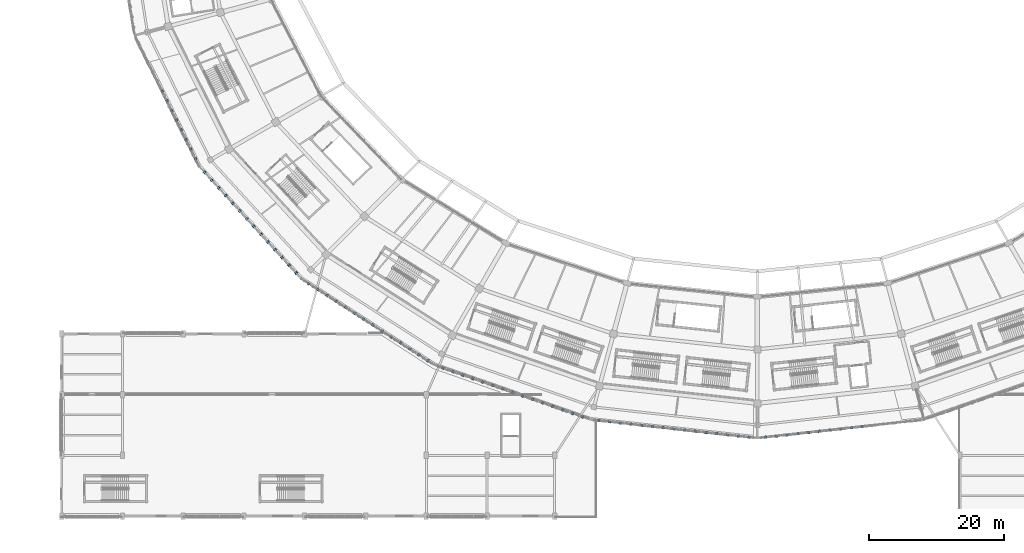
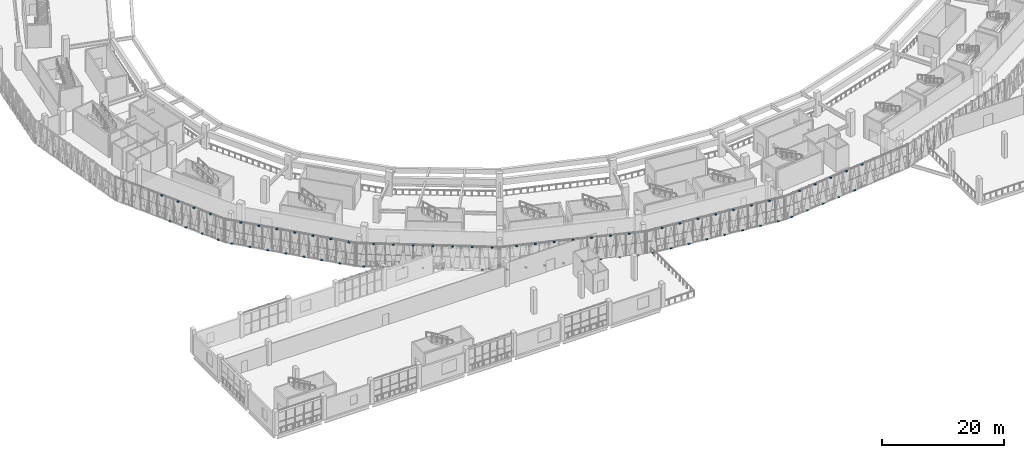
# One storey, part 119 of 179: 76 discrete accessories.
"""IFC4 building model written with IfcOpenShell, lengths in metres."""

from ifc_helpers import new_model, si_unit, direction, frame, origin, origin_2d, place, context, subcontext, project, spatial, rectangle, extrude, material, layer, layer_set, type_object, element, save


model = new_model("IFC4")

# Units and contexts
model_context = context("Model", 3, precision=1e-05, world=origin(), true_north=direction((0.0, 1.0)))
body_context = subcontext(model_context, "Body", "Model", "MODEL_VIEW")
ifc_project = project(units=[si_unit("LENGTHUNIT", "METRE"), si_unit("AREAUNIT", "SQUARE_METRE"), si_unit("VOLUMEUNIT", "CUBIC_METRE"), si_unit("PLANEANGLEUNIT", "RADIAN"), si_unit("MASSUNIT", "GRAM", prefix="KILO")], contexts=[model_context])

# Site, building, storey
site_placement = place(None, origin())
site = spatial("IfcSite", under=ifc_project, at=site_placement, CompositionType="ELEMENT")
building_placement = place(site_placement, origin())
building = spatial("IfcBuilding", under=site, at=building_placement, Name="Zevraka Park Crest Stadium", CompositionType="ELEMENT")
storey_placement = place(building_placement, frame((0.0, 0.0, 10.199951171875)))
storey = spatial("IfcBuildingStorey", under=building, at=storey_placement, Name="L02", CompositionType="ELEMENT", Elevation=10.199951171875)

# Discrete accessories
ifc_material = material(Name="Galvanised steel bracketry", Category="steel")
ifc_layer = layer(ifc_material, 0.1201171875)
ifc_layer_set = layer_set([ifc_layer], Name="Galvanised steel bracketry")
discrete_accessory_type = type_object("IfcDiscreteAccessoryType", Name="BRK01", PredefinedType="BRACKET", material=ifc_layer_set)
for number, where, z_axis, x_axis, name in (
    (1, (23.875, 62.9150390625, 4.35986328125), (0.0, 0.0, 1.0), (0.441035988909, -0.897489418593, 0.0), "Bronze Screen Carrier Bracket BRK01 L02-13-6"),
    (2, (24.5791015625, 61.48388671875, -0.15966796875), (0.0, 0.0, 1.0), (0.441035988909, -0.897489418593, 0.0), "Bronze Screen Carrier Bracket BRK01 L02-13-7"),
    (3, (25.281982421875, 60.052001953125, 4.35986328125), (0.0, 0.0, 1.0), (0.441035988909, -0.897489418593, 0.0), "Bronze Screen Carrier Bracket BRK01 L02-13-8"),
    (4, (25.985107421875, 58.62109375, -0.15966796875), (0.0, 0.0, 1.0), (0.441035988909, -0.897489418593, 0.0), "Bronze Screen Carrier Bracket BRK01 L02-13-9"),
    (5, (26.68896484375, 57.18994140625, 4.35986328125), (0.0, 0.0, 1.0), (0.441035988909, -0.897489418593, 0.0), "Bronze Screen Carrier Bracket BRK01 L02-13-10"),
    (6, (27.39208984375, 55.758056640625, -0.15966796875), (0.0, 0.0, 1.0), (0.441035988909, -0.897489418593, 0.0), "Bronze Screen Carrier Bracket BRK01 L02-13-11"),
    (7, (28.094970703125, 54.326904296875, 4.35986328125), (0.0, 0.0, 1.0), (0.441035988909, -0.897489418593, 0.0), "Bronze Screen Carrier Bracket BRK01 L02-13-12"),
    (8, (28.799072265625, 52.89599609375, -0.15966796875), (0.0, 0.0, 1.0), (0.441035988909, -0.897489418593, 0.0), "Bronze Screen Carrier Bracket BRK01 L02-13-13"),
    (9, (30.162109375, 50.885986328125, -0.15966796875), (0.0, 0.0, 1.0), (0.673141593237, -0.739513620871, 0.0), "Bronze Screen Carrier Bracket BRK01 L02-14-1"),
    (10, (31.202880859375, 49.741943359375, 4.35986328125), (0.0, 0.0, 1.0), (0.673141593237, -0.739513620871, 0.0), "Bronze Screen Carrier Bracket BRK01 L02-14-2"),
    (11, (32.243896484375, 48.59912109375, -0.15966796875), (0.0, 0.0, 1.0), (0.673141593237, -0.739513620871, 0.0), "Bronze Screen Carrier Bracket BRK01 L02-14-3"),
    (12, (33.283935546875, 47.4560546875, 4.35986328125), (0.0, 0.0, 1.0), (0.673141593237, -0.739513620871, 0.0), "Bronze Screen Carrier Bracket BRK01 L02-14-4"),
    (13, (34.324951171875, 46.31201171875, -0.15966796875), (0.0, 0.0, 1.0), (0.673141593237, -0.739513620871, 0.0), "Bronze Screen Carrier Bracket BRK01 L02-14-5"),
    (14, (35.365966796875, 45.1689453125, 4.35986328125), (0.0, 0.0, 1.0), (0.673141593237, -0.739513620871, 0.0), "Bronze Screen Carrier Bracket BRK01 L02-14-6"),
    (15, (36.406982421875, 44.02587890625, -0.15966796875), (0.0, 0.0, 1.0), (0.673141593237, -0.739513620871, 0.0), "Bronze Screen Carrier Bracket BRK01 L02-14-7"),
    (16, (37.447021484375, 42.882080078125, 4.35986328125), (0.0, 0.0, 1.0), (0.673141593237, -0.739513620871, 0.0), "Bronze Screen Carrier Bracket BRK01 L02-14-8"),
    (17, (38.488037109375, 41.739013671875, -0.15966796875), (0.0, 0.0, 1.0), (0.673141593237, -0.739513620871, 0.0), "Bronze Screen Carrier Bracket BRK01 L02-14-9"),
    (18, (39.529052734375, 40.595947265625, 4.35986328125), (0.0, 0.0, 1.0), (0.673141593237, -0.739513620871, 0.0), "Bronze Screen Carrier Bracket BRK01 L02-14-10"),
    (19, (40.570068359375, 39.451904296875, -0.15966796875), (0.0, 0.0, 1.0), (0.673141593237, -0.739513620871, 0.0), "Bronze Screen Carrier Bracket BRK01 L02-14-11"),
    (20, (41.610107421875, 38.30908203125, 4.35986328125), (0.0, 0.0, 1.0), (0.673141593237, -0.739513620871, 0.0), "Bronze Screen Carrier Bracket BRK01 L02-14-12"),
    (21, (42.65087890625, 37.166015625, -0.15966796875), (0.0, 0.0, 1.0), (0.673141593237, -0.739513620871, 0.0), "Bronze Screen Carrier Bracket BRK01 L02-14-13"),
    (22, (43.69189453125, 36.02197265625, 4.35986328125), (0.0, 0.0, 1.0), (0.673141593237, -0.739513620871, 0.0), "Bronze Screen Carrier Bracket BRK01 L02-14-14"),
    (23, (45.56103515625, 34.444091796875, -0.15966796875), (0.0, 0.0, 1.0), (0.839714653571, -0.543027900367, 0.0), "Bronze Screen Carrier Bracket BRK01 L02-15-1"),
    (24, (46.919921875, 33.56494140625, 4.35986328125), (0.0, 0.0, 1.0), (0.839714653571, -0.543027900367, 0.0), "Bronze Screen Carrier Bracket BRK01 L02-15-2"),
    (25, (48.279052734375, 32.68603515625, -0.15966796875), (0.0, 0.0, 1.0), (0.839714653571, -0.543027900367, 0.0), "Bronze Screen Carrier Bracket BRK01 L02-15-3"),
    (26, (49.637939453125, 31.80810546875, 4.35986328125), (0.0, 0.0, 1.0), (0.839714653571, -0.543027900367, 0.0), "Bronze Screen Carrier Bracket BRK01 L02-15-4"),
    (27, (50.99609375, 30.928955078125, -0.15966796875), (0.0, 0.0, 1.0), (0.839714653571, -0.543027900367, 0.0), "Bronze Screen Carrier Bracket BRK01 L02-15-5"),
    (28, (52.35498046875, 30.050048828125, 4.35986328125), (0.0, 0.0, 1.0), (0.839714653571, -0.543027900367, 0.0), "Bronze Screen Carrier Bracket BRK01 L02-15-6"),
    (29, (53.714111328125, 29.1708984375, -0.15966796875), (0.0, 0.0, 1.0), (0.839714653571, -0.543027900367, 0.0), "Bronze Screen Carrier Bracket BRK01 L02-15-7"),
    (30, (55.072998046875, 28.2919921875, 4.35986328125), (0.0, 0.0, 1.0), (0.839714653571, -0.543027900367, 0.0), "Bronze Screen Carrier Bracket BRK01 L02-15-8"),
    (31, (56.431884765625, 27.4130859375, -0.15966796875), (0.0, 0.0, 1.0), (0.839714653571, -0.543027900367, 0.0), "Bronze Screen Carrier Bracket BRK01 L02-15-9"),
    (32, (57.791015625, 26.533935546875, 4.35986328125), (0.0, 0.0, 1.0), (0.839714653571, -0.543027900367, 0.0), "Bronze Screen Carrier Bracket BRK01 L02-15-10"),
    (33, (59.14892578125, 25.655029296875, -0.15966796875), (0.0, 0.0, 1.0), (0.839714653571, -0.543027900367, 0.0), "Bronze Screen Carrier Bracket BRK01 L02-15-11"),
    (34, (60.508056640625, 24.777099609375, 4.35986328125), (0.0, 0.0, 1.0), (0.839714653571, -0.543027900367, 0.0), "Bronze Screen Carrier Bracket BRK01 L02-15-12"),
    (35, (61.866943359375, 23.89794921875, -0.15966796875), (0.0, 0.0, 1.0), (0.839714653571, -0.543027900367, 0.0), "Bronze Screen Carrier Bracket BRK01 L02-15-13"),
    (36, (63.22607421875, 23.01904296875, 4.35986328125), (0.0, 0.0, 1.0), (0.839714653571, -0.543027900367, 0.0), "Bronze Screen Carrier Bracket BRK01 L02-15-14"),
    (37, (65.43408203125, 21.93505859375, -0.15966796875), (0.0, 0.0, 1.0), (0.944089020393, -0.329690645263, 0.0), "Bronze Screen Carrier Bracket BRK01 L02-16-1"),
    (38, (66.9130859375, 21.4189453125, 4.35986328125), (0.0, 0.0, 1.0), (0.944089020393, -0.329690645263, 0.0), "Bronze Screen Carrier Bracket BRK01 L02-16-2"),
    (39, (68.39208984375, 20.903076171875, -0.15966796875), (0.0, 0.0, 1.0), (0.944089020393, -0.329690645263, 0.0), "Bronze Screen Carrier Bracket BRK01 L02-16-3"),
    (40, (69.87109375, 20.385986328125, 4.35986328125), (0.0, 0.0, 1.0), (0.944089020393, -0.329690645263, 0.0), "Bronze Screen Carrier Bracket BRK01 L02-16-4"),
    (41, (71.35009765625, 19.8701171875, -0.15966796875), (0.0, 0.0, 1.0), (0.944089020393, -0.329690645263, 0.0), "Bronze Screen Carrier Bracket BRK01 L02-16-5"),
    (42, (72.8291015625, 19.35400390625, 4.35986328125), (0.0, 0.0, 1.0), (0.944089020393, -0.329690645263, 0.0), "Bronze Screen Carrier Bracket BRK01 L02-16-6"),
    (43, (74.30810546875, 18.8369140625, -0.15966796875), (0.0, 0.0, 1.0), (0.944089020393, -0.329690645263, 0.0), "Bronze Screen Carrier Bracket BRK01 L02-16-7"),
    (44, (75.787109375, 18.321044921875, 4.35986328125), (0.0, 0.0, 1.0), (0.944089020393, -0.329690645263, 0.0), "Bronze Screen Carrier Bracket BRK01 L02-16-8"),
    (45, (77.264892578125, 17.804931640625, -0.15966796875), (0.0, 0.0, 1.0), (0.944089020393, -0.329690645263, 0.0), "Bronze Screen Carrier Bracket BRK01 L02-16-9"),
    (46, (78.743896484375, 17.2880859375, 4.35986328125), (0.0, 0.0, 1.0), (0.944089020393, -0.329690645263, 0.0), "Bronze Screen Carrier Bracket BRK01 L02-16-10"),
    (47, (80.222900390625, 16.77197265625, -0.15966796875), (0.0, 0.0, 1.0), (0.944089020393, -0.329690645263, 0.0), "Bronze Screen Carrier Bracket BRK01 L02-16-11"),
    (48, (81.701904296875, 16.256103515625, 4.35986328125), (0.0, 0.0, 1.0), (0.944089020393, -0.329690645263, 0.0), "Bronze Screen Carrier Bracket BRK01 L02-16-12"),
    (49, (83.180908203125, 15.739013671875, -0.15966796875), (0.0, 0.0, 1.0), (0.944089020393, -0.329690645263, 0.0), "Bronze Screen Carrier Bracket BRK01 L02-16-13"),
    (50, (84.659912109375, 15.222900390625, 4.35986328125), (0.0, 0.0, 1.0), (0.944089020393, -0.329690645263, 0.0), "Bronze Screen Carrier Bracket BRK01 L02-16-14"),
    (51, (86.138916015625, 14.70703125, -0.15966796875), (0.0, 0.0, 1.0), (0.944089020393, -0.329690645263, 0.0), "Bronze Screen Carrier Bracket BRK01 L02-16-15"),
    (52, (88.531005859375, 14.1650390625, -0.15966796875), (0.0, 0.0, 1.0), (0.993903362457, -0.110254732764, 0.0), "Bronze Screen Carrier Bracket BRK01 L02-17-1"),
    (53, (90.1201171875, 13.989013671875, 4.35986328125), (0.0, 0.0, 1.0), (0.993903362457, -0.110254732764, 0.0), "Bronze Screen Carrier Bracket BRK01 L02-17-2"),
    (54, (91.7080078125, 13.81298828125, -0.15966796875), (0.0, 0.0, 1.0), (0.993903362457, -0.110254732764, 0.0), "Bronze Screen Carrier Bracket BRK01 L02-17-3"),
    (55, (93.2958984375, 13.635986328125, 4.35986328125), (0.0, 0.0, 1.0), (0.993903362457, -0.110254732764, 0.0), "Bronze Screen Carrier Bracket BRK01 L02-17-4"),
    (56, (94.884033203125, 13.4599609375, -0.15966796875), (0.0, 0.0, 1.0), (0.993903362457, -0.110254732764, 0.0), "Bronze Screen Carrier Bracket BRK01 L02-17-5"),
    (57, (96.471923828125, 13.283935546875, 4.35986328125), (0.0, 0.0, 1.0), (0.993903362457, -0.110254732764, 0.0), "Bronze Screen Carrier Bracket BRK01 L02-17-6"),
    (58, (98.06005859375, 13.10791015625, -0.15966796875), (0.0, 0.0, 1.0), (0.993903362457, -0.110254732764, 0.0), "Bronze Screen Carrier Bracket BRK01 L02-17-7"),
    (59, (99.64892578125, 12.931884765625, 4.35986328125), (0.0, 0.0, 1.0), (0.993903362457, -0.110254732764, 0.0), "Bronze Screen Carrier Bracket BRK01 L02-17-8"),
    (60, (101.237060546875, 12.7548828125, -0.15966796875), (0.0, 0.0, 1.0), (0.993903362457, -0.110254732764, 0.0), "Bronze Screen Carrier Bracket BRK01 L02-17-9"),
    (61, (102.824951171875, 12.5791015625, 4.35986328125), (0.0, 0.0, 1.0), (0.993903362457, -0.110254732764, 0.0), "Bronze Screen Carrier Bracket BRK01 L02-17-10"),
    (62, (104.4130859375, 12.403076171875, -0.15966796875), (0.0, 0.0, 1.0), (0.993903362457, -0.110254732764, 0.0), "Bronze Screen Carrier Bracket BRK01 L02-17-11"),
    (63, (106.0009765625, 12.22705078125, 4.35986328125), (0.0, 0.0, 1.0), (0.993903362457, -0.110254732764, 0.0), "Bronze Screen Carrier Bracket BRK01 L02-17-12"),
    (64, (107.589111328125, 12.050048828125, -0.15966796875), (0.0, 0.0, 1.0), (0.993903362457, -0.110254732764, 0.0), "Bronze Screen Carrier Bracket BRK01 L02-17-13"),
    (65, (109.177001953125, 11.8740234375, 4.35986328125), (0.0, 0.0, 1.0), (0.993903362457, -0.110254732764, 0.0), "Bronze Screen Carrier Bracket BRK01 L02-17-14"),
    (66, (110.76611328125, 11.697998046875, -0.15966796875), (0.0, 0.0, 1.0), (0.993903362457, -0.110254732764, 0.0), "Bronze Screen Carrier Bracket BRK01 L02-17-15"),
    (67, (113.23388671875, 11.697998046875, -0.15966796875), (0.0, 0.0, 1.0), (0.993903362457, 0.110254732764, 0.0), "Bronze Screen Carrier Bracket BRK01 L02-18-1"),
    (68, (114.822998046875, 11.8740234375, 4.35986328125), (0.0, 0.0, 1.0), (0.993903362457, 0.110254732764, 0.0), "Bronze Screen Carrier Bracket BRK01 L02-18-2"),
    (69, (116.410888671875, 12.050048828125, -0.15966796875), (0.0, 0.0, 1.0), (0.993903362457, 0.110254732764, 0.0), "Bronze Screen Carrier Bracket BRK01 L02-18-3"),
    (70, (117.9990234375, 12.22705078125, 4.35986328125), (0.0, 0.0, 1.0), (0.993903362457, 0.110254732764, 0.0), "Bronze Screen Carrier Bracket BRK01 L02-18-4"),
    (71, (119.5869140625, 12.403076171875, -0.15966796875), (0.0, 0.0, 1.0), (0.993903362457, 0.110254732764, 0.0), "Bronze Screen Carrier Bracket BRK01 L02-18-5"),
    (72, (121.175048828125, 12.5791015625, 4.35986328125), (0.0, 0.0, 1.0), (0.993903362457, 0.110254732764, 0.0), "Bronze Screen Carrier Bracket BRK01 L02-18-6"),
    (73, (122.762939453125, 12.7548828125, -0.15966796875), (0.0, 0.0, 1.0), (0.993903362457, 0.110254732764, 0.0), "Bronze Screen Carrier Bracket BRK01 L02-18-7"),
    (74, (124.35107421875, 12.931884765625, 4.35986328125), (0.0, 0.0, 1.0), (0.993903362457, 0.110254732764, 0.0), "Bronze Screen Carrier Bracket BRK01 L02-18-8"),
    (75, (125.93994140625, 13.10791015625, -0.15966796875), (0.0, 0.0, 1.0), (0.993903362457, 0.110254732764, 0.0), "Bronze Screen Carrier Bracket BRK01 L02-18-9"),
    (76, (127.528076171875, 13.283935546875, 4.35986328125), (0.0, 0.0, 1.0), (0.993903362457, 0.110254732764, 0.0), "Bronze Screen Carrier Bracket BRK01 L02-18-10"),
):
    element("IfcDiscreteAccessory", number, at=place(storey_placement, frame(where, z_axis=z_axis, x_axis=x_axis)), inside=storey, type_object=discrete_accessory_type, Name=name, PredefinedType="BRACKET", context=body_context, shape_type="SweptSolid", body=[
        extrude(rectangle(XDim=0.320068359375, YDim=0.360107421875, at=origin_2d()), origin(), (0.0, 0.0, 1.0), 0.159912109375),
    ])

save(model, "model.ifc")
